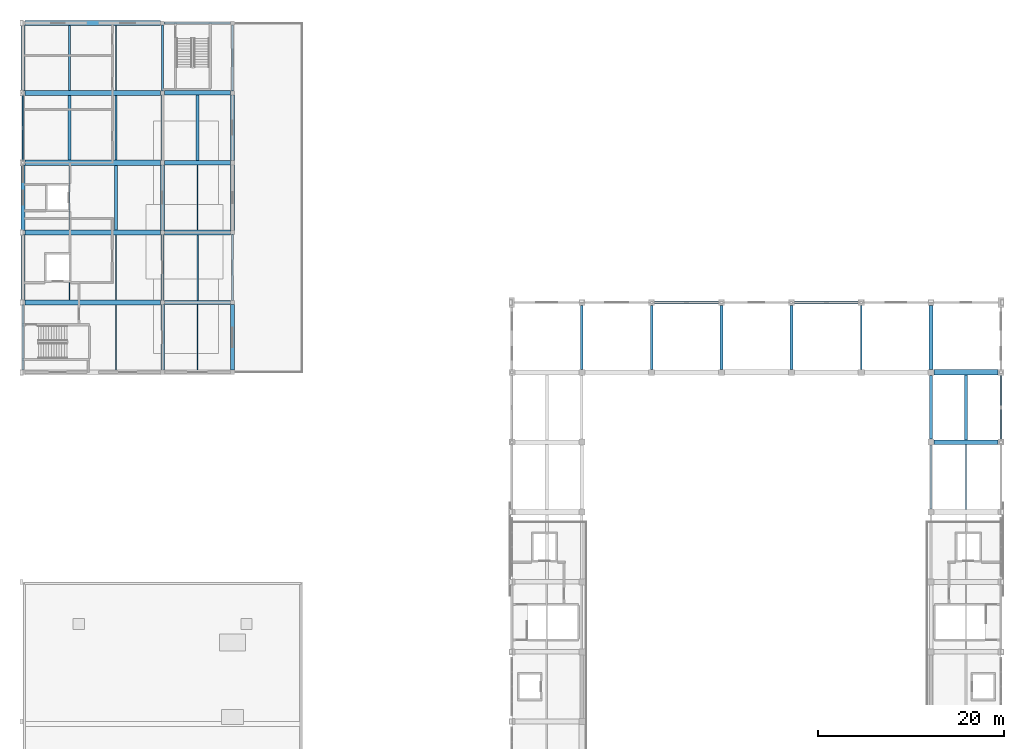
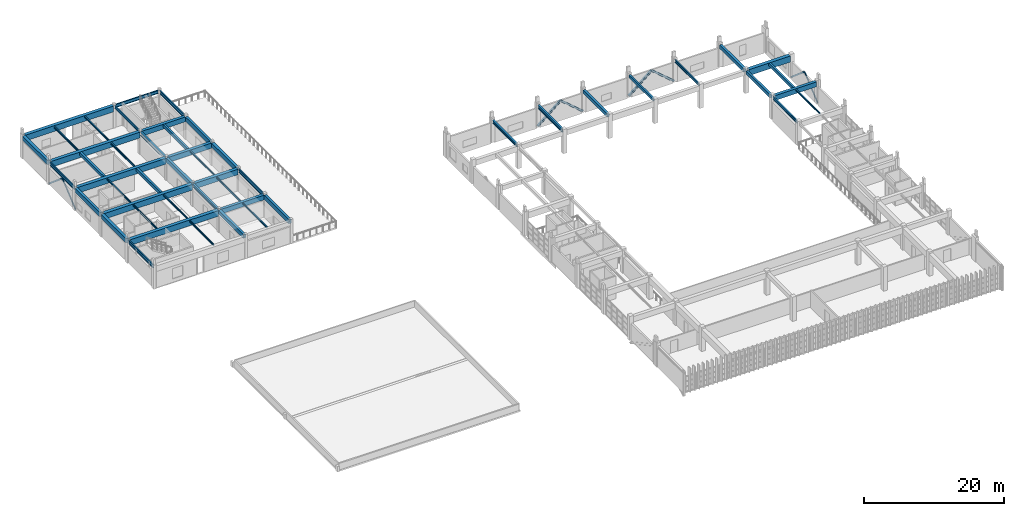
# One storey, part 23 of 51: 50 beams, 8 members.
"""IFC4 building model written with IfcOpenShell, lengths in metres."""

from ifc_helpers import new_model, si_unit, direction, frame, origin, origin_2d, place, context, subcontext, project, spatial, rectangle, hollow_rectangle, i_section, extrude, material, material_profile, profile_set, type_object, element, save


model = new_model("IFC4")

# Units and contexts
model_context = context("Model", 3, precision=1e-05, world=origin(), true_north=direction((0.0, 1.0)))
body_context = subcontext(model_context, "Body", "Model", "MODEL_VIEW")
ifc_project = project(units=[si_unit("LENGTHUNIT", "METRE"), si_unit("AREAUNIT", "SQUARE_METRE"), si_unit("VOLUMEUNIT", "CUBIC_METRE"), si_unit("PLANEANGLEUNIT", "RADIAN"), si_unit("MASSUNIT", "GRAM", prefix="KILO")], contexts=[model_context])

# Site, building, storey
site_placement = place(None, origin())
site = spatial("IfcSite", under=ifc_project, at=site_placement, CompositionType="ELEMENT")
building_placement = place(site_placement, origin())
building = spatial("IfcBuilding", under=site, at=building_placement, Name="Qasida Concert Hall", CompositionType="ELEMENT")
storey_placement = place(building_placement, frame((0.0, 0.0, 21.0)))
storey = spatial("IfcBuildingStorey", under=building, at=storey_placement, Name="L05", CompositionType="ELEMENT", Elevation=21.0)

# Beams
ifc_material_1 = material(Name="Concrete C40/50", Category="concrete")
ifc_material_profile_1 = material_profile(ifc_material_1, rectangle(XDim=0.39990234375, YDim=0.64990234375, at=origin_2d()), Name="RC 400x650")
ifc_profile_set_1 = profile_set([ifc_material_profile_1], Name="Concrete C40/50")
beam_type_1 = type_object("IfcBeamType", Name="BM-B1", PredefinedType="BEAM", material=ifc_profile_set_1)
beam_1_placement = place(storey_placement, frame((97.5, 75.324951171875, 3.594970703125), z_axis=(0.0, 1.0, 0.0), x_axis=(-1.0, 0.0, 0.0)))
element("IfcBeam", 1, at=beam_1_placement, inside=storey, type_object=beam_type_1, Name="L05 girder 2026", PredefinedType="BEAM", context=body_context, shape_type="SweptSolid", body=[
    extrude(rectangle(XDim=0.39990234375, YDim=0.64990234375, at=origin_2d()), origin(), (0.0, 0.0, 1.0), 6.85009765625),
])
beam_2_placement = place(storey_placement, frame((15.0, 75.22509765625, 3.594970703125), z_axis=(0.0, 1.0, 0.0), x_axis=(-1.0, 0.0, 0.0)))
element("IfcBeam", 2, at=beam_2_placement, inside=storey, type_object=beam_type_1, Name="L05 girder 2056", PredefinedType="BEAM", context=body_context, shape_type="SweptSolid", body=[
    extrude(rectangle(XDim=0.39990234375, YDim=0.64990234375, at=origin_2d()), origin(), (0.0, 0.0, 1.0), 7.0498046875),
])
ifc_material_profile_2 = material_profile(ifc_material_1, rectangle(XDim=0.419921875, YDim=0.699951171875, at=origin_2d()), Name="RC 420x700")
ifc_profile_set_2 = profile_set([ifc_material_profile_2], Name="Concrete C40/50")
beam_type_2 = type_object("IfcBeamType", Name="BM-B11", PredefinedType="BEAM", material=ifc_profile_set_2)
beam_3_placement = place(storey_placement, frame((15.0, 90.22509765625, 3.570068359375), z_axis=(0.0, 1.0, 0.0), x_axis=(-1.0, 0.0, 0.0)))
element("IfcBeam", 3, at=beam_3_placement, inside=storey, type_object=beam_type_2, Name="L05 girder 2058", PredefinedType="BEAM", context=body_context, shape_type="SweptSolid", body=[
    extrude(rectangle(XDim=0.419921875, YDim=0.699951171875, at=origin_2d()), origin(), (0.0, 0.0, 1.0), 7.0498046875),
])
ifc_material_2 = material(Name="Steel S355J2", Category="steel")
ifc_material_profile_3 = material_profile(ifc_material_2, i_section(OverallWidth=0.300048828125, OverallDepth=0.550048828125, WebThickness=0.014892578125, FlangeThickness=0.029052734375, FilletRadius=0.027099609375, at=origin_2d()), Name="HEB 550")
ifc_profile_set_3 = profile_set([ifc_material_profile_3], Name="Steel S355J2")
beam_type_3 = type_object("IfcBeamType", Name="BM-B12", PredefinedType="BEAM", material=ifc_profile_set_3)
beam_4_placement = place(storey_placement, frame((60.0, 75.324951171875, 3.64501953125), z_axis=(0.0, 1.0, 0.0), x_axis=(-1.0, 0.0, 0.0)))
element("IfcBeam", 4, at=beam_4_placement, inside=storey, type_object=beam_type_3, Name="L05 girder 2014", PredefinedType="BEAM", context=body_context, shape_type="SweptSolid", body=[
    extrude(i_section(OverallWidth=0.300048828125, OverallDepth=0.550048828125, WebThickness=0.014892578125, FlangeThickness=0.029052734375, FilletRadius=0.027099609375, at=origin_2d()), origin(), (0.0, 0.0, 1.0), 6.85009765625),
])
beam_5_placement = place(storey_placement, frame((15.0, 82.72509765625, 3.64501953125), z_axis=(0.0, 1.0, 0.0), x_axis=(-1.0, 0.0, 0.0)))
element("IfcBeam", 5, at=beam_5_placement, inside=storey, type_object=beam_type_3, Name="L05 girder 2057", PredefinedType="BEAM", context=body_context, shape_type="SweptSolid", body=[
    extrude(i_section(OverallWidth=0.300048828125, OverallDepth=0.550048828125, WebThickness=0.014892578125, FlangeThickness=0.029052734375, FilletRadius=0.027099609375, at=origin_2d()), origin(), (0.0, 0.0, 1.0), 7.0498046875),
])
ifc_material_profile_4 = material_profile(ifc_material_2, i_section(OverallWidth=0.300048828125, OverallDepth=0.64990234375, WebThickness=0.01611328125, FlangeThickness=0.031005859375, FilletRadius=0.027099609375, at=origin_2d()), Name="HEB 650")
ifc_profile_set_4 = profile_set([ifc_material_profile_4], Name="Steel S355J2")
beam_type_4 = type_object("IfcBeamType", Name="BM-B13", PredefinedType="BEAM", material=ifc_profile_set_4)
beam_6_placement = place(storey_placement, frame((67.5, 75.324951171875, 3.594970703125), z_axis=(0.0, 1.0, 0.0), x_axis=(-1.0, 0.0, 0.0)))
element("IfcBeam", 6, at=beam_6_placement, inside=storey, type_object=beam_type_4, Name="L05 girder 2015", PredefinedType="BEAM", context=body_context, shape_type="SweptSolid", body=[
    extrude(i_section(OverallWidth=0.300048828125, OverallDepth=0.64990234375, WebThickness=0.01611328125, FlangeThickness=0.031005859375, FilletRadius=0.027099609375, at=origin_2d()), origin(), (0.0, 0.0, 1.0), 6.85009765625),
])
ifc_material_profile_5 = material_profile(ifc_material_1, rectangle(XDim=0.35009765625, YDim=0.60009765625, at=origin_2d()), Name="RC 350x600")
ifc_profile_set_5 = profile_set([ifc_material_profile_5], Name="Concrete C40/50")
beam_type_5 = type_object("IfcBeamType", Name="BM-B2", PredefinedType="BEAM", material=ifc_profile_set_5)
for number, where, z_axis, x_axis, name in (
    (7, (75.0, 75.324951171875, 3.6201171875), (0.0, 1.0, 0.0), (-1.0, 0.0, 0.0), "L05 girder 2017"),
    (8, (97.5, 67.824951171875, 3.6201171875), (0.0, 1.0, 0.0), (-1.0, 0.0, 0.0), "L05 girder 2025"),
):
    element("IfcBeam", number, at=place(storey_placement, frame(where, z_axis=z_axis, x_axis=x_axis)), inside=storey, type_object=beam_type_5, Name=name, PredefinedType="BEAM", context=body_context, shape_type="SweptSolid", body=[
        extrude(rectangle(XDim=0.35009765625, YDim=0.60009765625, at=origin_2d()), origin(), (0.0, 0.0, 1.0), 6.85009765625),
    ])
ifc_material_profile_6 = material_profile(ifc_material_1, rectangle(XDim=0.300048828125, YDim=0.449951171875, at=origin_2d()), Name="RC 300x450")
ifc_profile_set_6 = profile_set([ifc_material_profile_6], Name="Concrete C40/50")
beam_type_6 = type_object("IfcBeamType", Name="BM-B3", PredefinedType="BEAM", material=ifc_profile_set_6)
beam_7_placement = place(storey_placement, frame((82.5, 75.324951171875, 3.695068359375), z_axis=(0.0, 1.0, 0.0), x_axis=(-1.0, 0.0, 0.0)))
element("IfcBeam", 9, at=beam_7_placement, inside=storey, type_object=beam_type_6, Name="L05 girder 2018", PredefinedType="BEAM", context=body_context, shape_type="SweptSolid", body=[
    extrude(rectangle(XDim=0.300048828125, YDim=0.449951171875, at=origin_2d()), origin(), (0.0, 0.0, 1.0), 6.85009765625),
])
ifc_material_profile_7 = material_profile(ifc_material_2, i_section(OverallWidth=0.199951171875, OverallDepth=0.5, WebThickness=0.01025390625, FlangeThickness=0.01611328125, FilletRadius=0.02099609375, at=origin_2d()), Name="IPE 500")
ifc_profile_set_7 = profile_set([ifc_material_profile_7], Name="Steel S355J2")
beam_type_7 = type_object("IfcBeamType", Name="BM-B4", PredefinedType="BEAM", material=ifc_profile_set_7)
beam_8_placement = place(storey_placement, frame((97.5, 60.324951171875, 3.669921875), z_axis=(0.0, 1.0, 0.0), x_axis=(-1.0, 0.0, 0.0)))
element("IfcBeam", 10, at=beam_8_placement, inside=storey, type_object=beam_type_7, Name="L05 girder 2024", PredefinedType="BEAM", context=body_context, shape_type="SweptSolid", body=[
    extrude(i_section(OverallWidth=0.199951171875, OverallDepth=0.5, WebThickness=0.01025390625, FlangeThickness=0.01611328125, FilletRadius=0.02099609375, at=origin_2d()), origin(), (0.0, 0.0, 1.0), 6.85009765625),
])
ifc_material_profile_8 = material_profile(ifc_material_2, i_section(OverallWidth=0.18994140625, OverallDepth=0.449951171875, WebThickness=0.009521484375, FlangeThickness=0.0146484375, FilletRadius=0.02099609375, at=origin_2d()), Name="IPE 450")
ifc_profile_set_8 = profile_set([ifc_material_profile_8], Name="Steel S355J2")
beam_type_8 = type_object("IfcBeamType", Name="BM-B5", PredefinedType="BEAM", material=ifc_profile_set_8)
beam_9_placement = place(storey_placement, frame((90.0, 75.324951171875, 3.695068359375), z_axis=(0.0, 1.0, 0.0), x_axis=(-1.0, 0.0, 0.0)))
element("IfcBeam", 11, at=beam_9_placement, inside=storey, type_object=beam_type_8, Name="L05 girder 2020", PredefinedType="BEAM", context=body_context, shape_type="SweptSolid", body=[
    extrude(i_section(OverallWidth=0.18994140625, OverallDepth=0.449951171875, WebThickness=0.009521484375, FlangeThickness=0.0146484375, FilletRadius=0.02099609375, at=origin_2d()), origin(), (0.0, 0.0, 1.0), 6.85009765625),
])
beam_10_placement = place(storey_placement, frame((15.0, 105.22509765625, 3.695068359375), z_axis=(0.0, 1.0, 0.0), x_axis=(-1.0, 0.0, 0.0)))
element("IfcBeam", 12, at=beam_10_placement, inside=storey, type_object=beam_type_8, Name="L05 girder 2060", PredefinedType="BEAM", context=body_context, shape_type="SweptSolid", body=[
    extrude(i_section(OverallWidth=0.18994140625, OverallDepth=0.449951171875, WebThickness=0.009521484375, FlangeThickness=0.0146484375, FilletRadius=0.02099609375, at=origin_2d()), origin(), (0.0, 0.0, 1.0), 7.0498046875),
])
ifc_material_profile_9 = material_profile(ifc_material_2, i_section(OverallWidth=0.300048828125, OverallDepth=0.60009765625, WebThickness=0.015380859375, FlangeThickness=0.030029296875, FilletRadius=0.027099609375, at=origin_2d()), Name="HEB 600")
ifc_profile_set_9 = profile_set([ifc_material_profile_9], Name="Steel S355J2")
beam_type_9 = type_object("IfcBeamType", Name="BM-B6", PredefinedType="BEAM", material=ifc_profile_set_9)
beam_11_placement = place(storey_placement, frame((15.0, 97.72509765625, 3.6201171875), z_axis=(0.0, 1.0, 0.0), x_axis=(-1.0, 0.0, 0.0)))
element("IfcBeam", 13, at=beam_11_placement, inside=storey, type_object=beam_type_9, Name="L05 girder 2059", PredefinedType="BEAM", context=body_context, shape_type="SweptSolid", body=[
    extrude(i_section(OverallWidth=0.300048828125, OverallDepth=0.60009765625, WebThickness=0.015380859375, FlangeThickness=0.030029296875, FilletRadius=0.027099609375, at=origin_2d()), origin(), (0.0, 0.0, 1.0), 7.0498046875),
])
ifc_material_profile_10 = material_profile(ifc_material_1, rectangle(XDim=0.5, YDim=0.89990234375, at=origin_2d()), Name="RC 500x900")
ifc_profile_set_10 = profile_set([ifc_material_profile_10], Name="Concrete C40/50")
beam_type_10 = type_object("IfcBeamType", Name="BM-G1", PredefinedType="USERDEFINED", material=ifc_profile_set_10)
beam_12_placement = place(storey_placement, frame((15.22509765625, 97.5, 3.469970703125), z_axis=(1.0, 0.0, 0.0), x_axis=(0.0, 1.0, 0.0)))
element("IfcBeam", 14, at=beam_12_placement, inside=storey, type_object=beam_type_10, Name="Primary girder 2046", ObjectType="GIRDER", PredefinedType="USERDEFINED", context=body_context, shape_type="SweptSolid", body=[
    extrude(rectangle(XDim=0.5, YDim=0.89990234375, at=origin_2d()), origin(), (0.0, 0.0, 1.0), 7.0498046875),
])
ifc_material_profile_11 = material_profile(ifc_material_1, rectangle(XDim=0.449951171875, YDim=0.800048828125, at=origin_2d()), Name="RC 450x800")
ifc_profile_set_11 = profile_set([ifc_material_profile_11], Name="Concrete C40/50")
beam_type_11 = type_object("IfcBeamType", Name="BM-G2", PredefinedType="USERDEFINED", material=ifc_profile_set_11)
beam_13_placement = place(storey_placement, frame((15.22509765625, 82.5, 3.52001953125), z_axis=(1.0, 0.0, 0.0), x_axis=(0.0, 1.0, 0.0)))
element("IfcBeam", 15, at=beam_13_placement, inside=storey, type_object=beam_type_11, Name="Primary girder 2042", ObjectType="GIRDER", PredefinedType="USERDEFINED", context=body_context, shape_type="SweptSolid", body=[
    extrude(rectangle(XDim=0.449951171875, YDim=0.800048828125, at=origin_2d()), origin(), (0.0, 0.0, 1.0), 7.0498046875),
])
ifc_material_profile_12 = material_profile(ifc_material_1, rectangle(XDim=0.550048828125, YDim=1.0, at=origin_2d()), Name="RC 550x1000")
ifc_profile_set_12 = profile_set([ifc_material_profile_12], Name="Concrete C40/50")
beam_type_12 = type_object("IfcBeamType", Name="BM-G3", PredefinedType="USERDEFINED", material=ifc_profile_set_12)
for number, where, z_axis, x_axis, name in (
    (16, (0.22509765625, 82.5, 3.419921875), (1.0, 0.0, 0.0), (0.0, 1.0, 0.0), "Primary girder 2041"),
    (17, (0.22509765625, 90.0, 3.419921875), (1.0, 0.0, 0.0), (0.0, 1.0, 0.0), "Primary girder 2043"),
    (18, (0.22509765625, 97.5, 3.419921875), (1.0, 0.0, 0.0), (0.0, 1.0, 0.0), "Primary girder 2045"),
    (19, (0.22509765625, 105.0, 3.419921875), (1.0, 0.0, 0.0), (0.0, 1.0, 0.0), "Primary girder 2047"),
    (20, (0.22509765625, 112.5, 3.419921875), (1.0, 0.0, 0.0), (0.0, 1.0, 0.0), "Primary girder 2049"),
):
    element("IfcBeam", number, at=place(storey_placement, frame(where, z_axis=z_axis, x_axis=x_axis)), inside=storey, type_object=beam_type_12, Name=name, ObjectType="GIRDER", PredefinedType="USERDEFINED", context=body_context, shape_type="SweptSolid", body=[
        extrude(rectangle(XDim=0.550048828125, YDim=1.0, at=origin_2d()), origin(), (0.0, 0.0, 1.0), 14.5498046875),
    ])
ifc_material_profile_13 = material_profile(ifc_material_1, rectangle(XDim=0.47998046875, YDim=0.85009765625, at=origin_2d()), Name="RC 480x850")
ifc_profile_set_13 = profile_set([ifc_material_profile_13], Name="Concrete C40/50")
beam_type_13 = type_object("IfcBeamType", Name="BM-G6", PredefinedType="USERDEFINED", material=ifc_profile_set_13)
beam_14_placement = place(storey_placement, frame((97.824951171875, 67.5, 3.4951171875), z_axis=(1.0, 0.0, 0.0), x_axis=(0.0, 1.0, 0.0)))
element("IfcBeam", 21, at=beam_14_placement, inside=storey, type_object=beam_type_13, Name="Primary girder 2001", ObjectType="GIRDER", PredefinedType="USERDEFINED", context=body_context, shape_type="SweptSolid", body=[
    extrude(rectangle(XDim=0.47998046875, YDim=0.85009765625, at=origin_2d()), origin(), (0.0, 0.0, 1.0), 6.85009765625),
])
beam_15_placement = place(storey_placement, frame((15.22509765625, 105.0, 3.4951171875), z_axis=(1.0, 0.0, 0.0), x_axis=(0.0, 1.0, 0.0)))
element("IfcBeam", 22, at=beam_15_placement, inside=storey, type_object=beam_type_13, Name="Primary girder 2048", ObjectType="GIRDER", PredefinedType="USERDEFINED", context=body_context, shape_type="SweptSolid", body=[
    extrude(rectangle(XDim=0.47998046875, YDim=0.85009765625, at=origin_2d()), origin(), (0.0, 0.0, 1.0), 7.0498046875),
])
ifc_material_profile_14 = material_profile(ifc_material_1, rectangle(XDim=0.52001953125, YDim=0.949951171875, at=origin_2d()), Name="RC 520x950")
ifc_profile_set_14 = profile_set([ifc_material_profile_14], Name="Concrete C40/50")
beam_type_14 = type_object("IfcBeamType", Name="BM-G7", PredefinedType="USERDEFINED", material=ifc_profile_set_14)
beam_16_placement = place(storey_placement, frame((15.22509765625, 90.0, 3.445068359375), z_axis=(1.0, 0.0, 0.0), x_axis=(0.0, 1.0, 0.0)))
element("IfcBeam", 23, at=beam_16_placement, inside=storey, type_object=beam_type_14, Name="Primary girder 2044", ObjectType="GIRDER", PredefinedType="USERDEFINED", context=body_context, shape_type="SweptSolid", body=[
    extrude(rectangle(XDim=0.52001953125, YDim=0.949951171875, at=origin_2d()), origin(), (0.0, 0.0, 1.0), 7.0498046875),
])
ifc_material_3 = material(Name="Concrete C50/60", Category="concrete")
ifc_material_profile_15 = material_profile(ifc_material_3, rectangle(XDim=0.580078125, YDim=1.050048828125, at=origin_2d()), Name="RC 580x1050")
ifc_profile_set_15 = profile_set([ifc_material_profile_15], Name="Concrete C50/60")
beam_type_15 = type_object("IfcBeamType", Name="BM-G8", PredefinedType="USERDEFINED", material=ifc_profile_set_15)
beam_17_placement = place(storey_placement, frame((97.824951171875, 75.0, 3.39501953125), z_axis=(1.0, 0.0, 0.0), x_axis=(0.0, 1.0, 0.0)))
element("IfcBeam", 24, at=beam_17_placement, inside=storey, type_object=beam_type_15, Name="Primary girder 2008", ObjectType="GIRDER", PredefinedType="USERDEFINED", context=body_context, shape_type="SweptSolid", body=[
    extrude(rectangle(XDim=0.580078125, YDim=1.050048828125, at=origin_2d()), origin(), (0.0, 0.0, 1.0), 6.85009765625),
])
ifc_material_profile_16 = material_profile(ifc_material_2, i_section(OverallWidth=0.169921875, OverallDepth=0.360107421875, WebThickness=0.008056640625, FlangeThickness=0.0126953125, FilletRadius=0.01806640625, at=origin_2d()), Name="IPE 360")
ifc_profile_set_16 = profile_set([ifc_material_profile_16], Name="Steel S355J2")
beam_type_16 = type_object("IfcBeamType", Name="BM-J2", PredefinedType="JOIST", material=ifc_profile_set_16)
for number, where, z_axis, x_axis, name in (
    (25, (10.0, 97.77490234375, 3.739990234375), (0.0, 1.0, 0.0), (-1.0, 0.0, 0.0), "L05 secondary joist 2072"),
    (26, (5.0, 105.27490234375, 3.739990234375), (0.0, 1.0, 0.0), (-1.0, 0.0, 0.0), "L05 secondary joist 2073"),
):
    element("IfcBeam", number, at=place(storey_placement, frame(where, z_axis=z_axis, x_axis=x_axis)), inside=storey, type_object=beam_type_16, Name=name, PredefinedType="JOIST", context=body_context, shape_type="SweptSolid", body=[
        extrude(i_section(OverallWidth=0.169921875, OverallDepth=0.360107421875, WebThickness=0.008056640625, FlangeThickness=0.0126953125, FilletRadius=0.01806640625, at=origin_2d()), origin(), (0.0, 0.0, 1.0), 6.9501953125),
    ])
ifc_material_profile_17 = material_profile(ifc_material_2, i_section(OverallWidth=0.14990234375, OverallDepth=0.300048828125, WebThickness=0.007080078125, FlangeThickness=0.0107421875, FilletRadius=0.014892578125, at=origin_2d()), Name="IPE 300")
ifc_profile_set_17 = profile_set([ifc_material_profile_17], Name="Steel S355J2")
beam_type_17 = type_object("IfcBeamType", Name="BM-J4", PredefinedType="JOIST", material=ifc_profile_set_17)
for number, where, z_axis, x_axis, name in (
    (27, (10.0, 75.27490234375, 3.77001953125), (0.0, 1.0, 0.0), (-1.0, 0.0, 0.0), "L05 secondary joist 2066"),
    (28, (5.0, 82.77490234375, 3.77001953125), (0.0, 1.0, 0.0), (-1.0, 0.0, 0.0), "L05 secondary joist 2067"),
    (29, (10.0, 105.27490234375, 3.77001953125), (0.0, 1.0, 0.0), (-1.0, 0.0, 0.0), "L05 secondary joist 2074"),
):
    element("IfcBeam", number, at=place(storey_placement, frame(where, z_axis=z_axis, x_axis=x_axis)), inside=storey, type_object=beam_type_17, Name=name, PredefinedType="JOIST", context=body_context, shape_type="SweptSolid", body=[
        extrude(i_section(OverallWidth=0.14990234375, OverallDepth=0.300048828125, WebThickness=0.007080078125, FlangeThickness=0.0107421875, FilletRadius=0.014892578125, at=origin_2d()), origin(), (0.0, 0.0, 1.0), 6.9501953125),
    ])
beam_18_placement = place(storey_placement, frame((18.75, 75.22509765625, 3.77001953125), z_axis=(0.0, 1.0, 0.0), x_axis=(-1.0, 0.0, 0.0)))
element("IfcBeam", 30, at=beam_18_placement, inside=storey, type_object=beam_type_17, Name="L05 secondary joist 2075", PredefinedType="JOIST", context=body_context, shape_type="SweptSolid", body=[
    extrude(i_section(OverallWidth=0.14990234375, OverallDepth=0.300048828125, WebThickness=0.007080078125, FlangeThickness=0.0107421875, FilletRadius=0.014892578125, at=origin_2d()), origin(), (0.0, 0.0, 1.0), 7.0498046875),
])
ifc_material_profile_18 = material_profile(ifc_material_2, i_section(OverallWidth=0.159912109375, OverallDepth=0.330078125, WebThickness=0.007568359375, FlangeThickness=0.011474609375, FilletRadius=0.01806640625, at=origin_2d()), Name="IPE 330")
ifc_profile_set_18 = profile_set([ifc_material_profile_18], Name="Steel S355J2")
beam_type_18 = type_object("IfcBeamType", Name="BM-J5", PredefinedType="JOIST", material=ifc_profile_set_18)
beam_19_placement = place(storey_placement, frame((18.75, 82.72509765625, 3.7548828125), z_axis=(0.0, 1.0, 0.0), x_axis=(-1.0, 0.0, 0.0)))
element("IfcBeam", 31, at=beam_19_placement, inside=storey, type_object=beam_type_18, Name="L05 secondary joist 2076", PredefinedType="JOIST", context=body_context, shape_type="SweptSolid", body=[
    extrude(i_section(OverallWidth=0.159912109375, OverallDepth=0.330078125, WebThickness=0.007568359375, FlangeThickness=0.011474609375, FilletRadius=0.01806640625, at=origin_2d()), origin(), (0.0, 0.0, 1.0), 7.014892578125),
])
ifc_material_profile_19 = material_profile(ifc_material_2, i_section(OverallWidth=0.135009765625, OverallDepth=0.27001953125, WebThickness=0.006591796875, FlangeThickness=0.01025390625, FilletRadius=0.014892578125, at=origin_2d()), Name="IPE 270")
ifc_profile_set_19 = profile_set([ifc_material_profile_19], Name="Steel S355J2")
beam_type_19 = type_object("IfcBeamType", Name="BM-J6", PredefinedType="JOIST", material=ifc_profile_set_19)
beam_20_placement = place(storey_placement, frame((101.25, 60.25, 3.784912109375), z_axis=(0.0, 1.0, 0.0), x_axis=(-1.0, 0.0, 0.0)))
element("IfcBeam", 32, at=beam_20_placement, inside=storey, type_object=beam_type_19, Name="L05 secondary joist 2037", PredefinedType="JOIST", context=body_context, shape_type="SweptSolid", body=[
    extrude(i_section(OverallWidth=0.135009765625, OverallDepth=0.27001953125, WebThickness=0.006591796875, FlangeThickness=0.01025390625, FilletRadius=0.014892578125, at=origin_2d()), origin(), (0.0, 0.0, 1.0), 7.010009765625),
])
for number, where, z_axis, x_axis, name in (
    (33, (10.0, 82.77490234375, 3.784912109375), (0.0, 1.0, 0.0), (-1.0, 0.0, 0.0), "L05 secondary joist 2068"),
    (34, (5.0, 90.27490234375, 3.784912109375), (0.0, 1.0, 0.0), (-1.0, 0.0, 0.0), "L05 secondary joist 2069"),
):
    element("IfcBeam", number, at=place(storey_placement, frame(where, z_axis=z_axis, x_axis=x_axis)), inside=storey, type_object=beam_type_19, Name=name, PredefinedType="JOIST", context=body_context, shape_type="SweptSolid", body=[
        extrude(i_section(OverallWidth=0.135009765625, OverallDepth=0.27001953125, WebThickness=0.006591796875, FlangeThickness=0.01025390625, FilletRadius=0.014892578125, at=origin_2d()), origin(), (0.0, 0.0, 1.0), 6.9501953125),
    ])
beam_21_placement = place(storey_placement, frame((18.75, 90.260009765625, 3.784912109375), z_axis=(0.0, 1.0, 0.0), x_axis=(-1.0, 0.0, 0.0)))
element("IfcBeam", 35, at=beam_21_placement, inside=storey, type_object=beam_type_19, Name="L05 secondary joist 2077", PredefinedType="JOIST", context=body_context, shape_type="SweptSolid", body=[
    extrude(i_section(OverallWidth=0.135009765625, OverallDepth=0.27001953125, WebThickness=0.006591796875, FlangeThickness=0.01025390625, FilletRadius=0.014892578125, at=origin_2d()), origin(), (0.0, 0.0, 1.0), 6.989990234375),
])
ifc_material_profile_20 = material_profile(ifc_material_1, rectangle(XDim=0.320068359375, YDim=0.5, at=origin_2d()), Name="RC 320x500")
ifc_profile_set_20 = profile_set([ifc_material_profile_20], Name="Concrete C40/50")
beam_type_20 = type_object("IfcBeamType", Name="BM-J7", PredefinedType="JOIST", material=ifc_profile_set_20)
beam_22_placement = place(storey_placement, frame((101.25, 67.739990234375, 3.669921875), z_axis=(0.0, 1.0, 0.0), x_axis=(-1.0, 0.0, 0.0)))
element("IfcBeam", 36, at=beam_22_placement, inside=storey, type_object=beam_type_20, Name="L05 secondary joist 2038", PredefinedType="JOIST", context=body_context, shape_type="SweptSolid", body=[
    extrude(rectangle(XDim=0.320068359375, YDim=0.5, at=origin_2d()), origin(), (0.0, 0.0, 1.0), 6.969970703125),
])
beam_23_placement = place(storey_placement, frame((18.75, 97.75, 3.669921875), z_axis=(0.0, 1.0, 0.0), x_axis=(-1.0, 0.0, 0.0)))
element("IfcBeam", 37, at=beam_23_placement, inside=storey, type_object=beam_type_20, Name="L05 secondary joist 2078", PredefinedType="JOIST", context=body_context, shape_type="SweptSolid", body=[
    extrude(rectangle(XDim=0.320068359375, YDim=0.5, at=origin_2d()), origin(), (0.0, 0.0, 1.0), 7.010009765625),
])
ifc_material_profile_21 = material_profile(ifc_material_1, rectangle(XDim=0.35009765625, YDim=0.550048828125, at=origin_2d()), Name="RC 350x550")
ifc_profile_set_21 = profile_set([ifc_material_profile_21], Name="Concrete C40/50")
beam_type_21 = type_object("IfcBeamType", Name="BM-J8", PredefinedType="JOIST", material=ifc_profile_set_21)
for number, where, z_axis, x_axis, name in (
    (38, (10.0, 90.27490234375, 3.64501953125), (0.0, 1.0, 0.0), (-1.0, 0.0, 0.0), "L05 secondary joist 2070"),
    (39, (5.0, 97.77490234375, 3.64501953125), (0.0, 1.0, 0.0), (-1.0, 0.0, 0.0), "L05 secondary joist 2071"),
):
    element("IfcBeam", number, at=place(storey_placement, frame(where, z_axis=z_axis, x_axis=x_axis)), inside=storey, type_object=beam_type_21, Name=name, PredefinedType="JOIST", context=body_context, shape_type="SweptSolid", body=[
        extrude(rectangle(XDim=0.35009765625, YDim=0.550048828125, at=origin_2d()), origin(), (0.0, 0.0, 1.0), 6.9501953125),
    ])
ifc_material_profile_22 = material_profile(ifc_material_1, rectangle(XDim=0.39990234375, YDim=0.75, at=origin_2d()), Name="RC 400x750")
ifc_profile_set_22 = profile_set([ifc_material_profile_22], Name="Concrete C40/50")
beam_type_22 = type_object("IfcBeamType", Name="BM-SP1", PredefinedType="SPANDREL", material=ifc_profile_set_22)
for number, where, z_axis, x_axis, name in (
    (40, (0.0, 90.22509765625, 3.544921875), (0.0, 1.0, 0.0), (-1.0, 0.0, 0.0), "L05 girder 2053"),
    (41, (22.5, 75.22509765625, 3.544921875), (0.0, 1.0, 0.0), (-1.0, 0.0, 0.0), "L05 girder 2061"),
    (42, (22.5, 97.72509765625, 3.544921875), (0.0, 1.0, 0.0), (-1.0, 0.0, 0.0), "L05 girder 2064"),
):
    element("IfcBeam", number, at=place(storey_placement, frame(where, z_axis=z_axis, x_axis=x_axis)), inside=storey, type_object=beam_type_22, Name=name, PredefinedType="SPANDREL", context=body_context, shape_type="SweptSolid", body=[
        extrude(rectangle(XDim=0.39990234375, YDim=0.75, at=origin_2d()), origin(), (0.0, 0.0, 1.0), 7.0498046875),
    ])
ifc_material_profile_23 = material_profile(ifc_material_2, i_section(OverallWidth=0.2099609375, OverallDepth=0.550048828125, WebThickness=0.010986328125, FlangeThickness=0.01708984375, FilletRadius=0.02392578125, at=origin_2d()), Name="IPE 550")
ifc_profile_set_23 = profile_set([ifc_material_profile_23], Name="Steel S355J2")
beam_type_23 = type_object("IfcBeamType", Name="BM-SP2", PredefinedType="SPANDREL", material=ifc_profile_set_23)
beam_24_placement = place(storey_placement, frame((15.22509765625, 112.5, 3.64501953125), z_axis=(1.0, 0.0, 0.0), x_axis=(0.0, 1.0, 0.0)))
element("IfcBeam", 43, at=beam_24_placement, inside=storey, type_object=beam_type_23, Name="Primary girder 2050", PredefinedType="SPANDREL", context=body_context, shape_type="SweptSolid", body=[
    extrude(i_section(OverallWidth=0.2099609375, OverallDepth=0.550048828125, WebThickness=0.010986328125, FlangeThickness=0.01708984375, FilletRadius=0.02392578125, at=origin_2d()), origin(), (0.0, 0.0, 1.0), 7.0498046875),
])
ifc_material_profile_24 = material_profile(ifc_material_2, i_section(OverallWidth=0.219970703125, OverallDepth=0.60009765625, WebThickness=0.011962890625, FlangeThickness=0.01904296875, FilletRadius=0.02392578125, at=origin_2d()), Name="IPE 600")
ifc_profile_set_24 = profile_set([ifc_material_profile_24], Name="Steel S355J2")
beam_type_24 = type_object("IfcBeamType", Name="BM-SP3", PredefinedType="SPANDREL", material=ifc_profile_set_24)
for number, where, z_axis, x_axis, name in (
    (44, (0.0, 75.22509765625, 3.6201171875), (0.0, 1.0, 0.0), (-1.0, 0.0, 0.0), "L05 girder 2051"),
    (45, (0.0, 97.72509765625, 3.6201171875), (0.0, 1.0, 0.0), (-1.0, 0.0, 0.0), "L05 girder 2054"),
    (46, (22.5, 82.72509765625, 3.6201171875), (0.0, 1.0, 0.0), (-1.0, 0.0, 0.0), "L05 girder 2062"),
    (47, (22.5, 105.22509765625, 3.6201171875), (0.0, 1.0, 0.0), (-1.0, 0.0, 0.0), "L05 girder 2065"),
):
    element("IfcBeam", number, at=place(storey_placement, frame(where, z_axis=z_axis, x_axis=x_axis)), inside=storey, type_object=beam_type_24, Name=name, PredefinedType="SPANDREL", context=body_context, shape_type="SweptSolid", body=[
        extrude(i_section(OverallWidth=0.219970703125, OverallDepth=0.60009765625, WebThickness=0.011962890625, FlangeThickness=0.01904296875, FilletRadius=0.02392578125, at=origin_2d()), origin(), (0.0, 0.0, 1.0), 7.0498046875),
    ])
ifc_material_profile_25 = material_profile(ifc_material_1, rectangle(XDim=0.449951171875, YDim=0.75, at=origin_2d()), Name="RC 450x750")
ifc_profile_set_25 = profile_set([ifc_material_profile_25], Name="Concrete C40/50")
beam_type_25 = type_object("IfcBeamType", Name="BM-SP4", PredefinedType="SPANDREL", material=ifc_profile_set_25)
for number, where, z_axis, x_axis, name in (
    (48, (0.0, 82.72509765625, 3.544921875), (0.0, 1.0, 0.0), (-1.0, 0.0, 0.0), "L05 girder 2052"),
    (49, (0.0, 105.22509765625, 3.544921875), (0.0, 1.0, 0.0), (-1.0, 0.0, 0.0), "L05 girder 2055"),
    (50, (22.5, 90.22509765625, 3.544921875), (0.0, 1.0, 0.0), (-1.0, 0.0, 0.0), "L05 girder 2063"),
):
    element("IfcBeam", number, at=place(storey_placement, frame(where, z_axis=z_axis, x_axis=x_axis)), inside=storey, type_object=beam_type_25, Name=name, PredefinedType="SPANDREL", context=body_context, shape_type="SweptSolid", body=[
        extrude(rectangle(XDim=0.449951171875, YDim=0.75, at=origin_2d()), origin(), (0.0, 0.0, 1.0), 7.0498046875),
    ])

# Members
ifc_material_profile_26 = material_profile(ifc_material_2, i_section(OverallWidth=0.300048828125, OverallDepth=0.31005859375, WebThickness=0.009033203125, FlangeThickness=0.015380859375, FilletRadius=0.027099609375, at=origin_2d()), Name="HEA 320")
ifc_profile_set_26 = profile_set([ifc_material_profile_26], Name="Steel S355J2")
member_type_1 = type_object("IfcMemberType", Name="MB-BR10", PredefinedType="BRACE", material=ifc_profile_set_26)
for number, where, z_axis, x_axis, name in (
    (51, (82.5, 82.5, 0.0), (0.763703031539, 0.0, 0.645567718848), (0.0, 1.0, 0.0), "L05 chevron brace CBF-0047"),
    (52, (90.0, 82.5, 0.0), (-0.763703031539, 0.0, 0.645567718848), (0.0, -1.0, 0.0), "L05 chevron brace CBF-0048"),
):
    element("IfcMember", number, at=place(storey_placement, frame(where, z_axis=z_axis, x_axis=x_axis)), inside=storey, type_object=member_type_1, Name=name, PredefinedType="BRACE", context=body_context, shape_type="SweptSolid", body=[
        extrude(i_section(OverallWidth=0.300048828125, OverallDepth=0.31005859375, WebThickness=0.009033203125, FlangeThickness=0.015380859375, FilletRadius=0.027099609375, at=origin_2d()), origin(), (0.0, 0.0, 1.0), 4.910400390625),
    ])
ifc_material_profile_27 = material_profile(ifc_material_2, hollow_rectangle(XDim=0.14990234375, YDim=0.25, WallThickness=0.010009765625, InnerFilletRadius=0.010009765625, OuterFilletRadius=0.02001953125, at=origin_2d()), Name="RHS 250x150x10")
ifc_profile_set_27 = profile_set([ifc_material_profile_27], Name="Steel S355J2")
member_type_2 = type_object("IfcMemberType", Name="MB-BR8", PredefinedType="BRACE", material=ifc_profile_set_27)
for number, where, z_axis, x_axis, name in (
    (53, (105.0, 67.5, 0.0), (0.0, 0.763703031539, 0.645567718848), (-1.0, 0.0, 0.0), "L05 chevron brace CBF-0023"),
    (54, (105.0, 75.0, 0.0), (0.0, -0.763703031539, 0.645567718848), (1.0, 0.0, 0.0), "L05 chevron brace CBF-0024"),
    (55, (0.0, 97.5, 0.0), (0.0, 0.763703031539, 0.645567718848), (-1.0, 0.0, 0.0), "L05 chevron brace CBF-0067"),
    (56, (0.0, 105.0, 0.0), (0.0, -0.763703031539, 0.645567718848), (1.0, 0.0, 0.0), "L05 chevron brace CBF-0068"),
):
    element("IfcMember", number, at=place(storey_placement, frame(where, z_axis=z_axis, x_axis=x_axis)), inside=storey, type_object=member_type_2, Name=name, PredefinedType="BRACE", context=body_context, shape_type="SweptSolid", body=[
        extrude(hollow_rectangle(XDim=0.14990234375, YDim=0.25, WallThickness=0.010009765625, InnerFilletRadius=0.010009765625, OuterFilletRadius=0.02001953125, at=origin_2d()), origin(), (0.0, 0.0, 1.0), 4.910400390625),
    ])
ifc_material_profile_28 = material_profile(ifc_material_2, i_section(OverallWidth=0.300048828125, OverallDepth=0.2900390625, WebThickness=0.008544921875, FlangeThickness=0.013916015625, FilletRadius=0.027099609375, at=origin_2d()), Name="HEA 300")
ifc_profile_set_28 = profile_set([ifc_material_profile_28], Name="Steel S355J2")
member_type_3 = type_object("IfcMemberType", Name="MB-BR9", PredefinedType="BRACE", material=ifc_profile_set_28)
for number, where, z_axis, x_axis, name in (
    (57, (67.5, 82.5, 0.0), (0.763703031539, 0.0, 0.645567718848), (0.0, 1.0, 0.0), "L05 chevron brace CBF-0035"),
    (58, (75.0, 82.5, 0.0), (-0.763703031539, 0.0, 0.645567718848), (0.0, -1.0, 0.0), "L05 chevron brace CBF-0036"),
):
    element("IfcMember", number, at=place(storey_placement, frame(where, z_axis=z_axis, x_axis=x_axis)), inside=storey, type_object=member_type_3, Name=name, PredefinedType="BRACE", context=body_context, shape_type="SweptSolid", body=[
        extrude(i_section(OverallWidth=0.300048828125, OverallDepth=0.2900390625, WebThickness=0.008544921875, FlangeThickness=0.013916015625, FilletRadius=0.027099609375, at=origin_2d()), origin(), (0.0, 0.0, 1.0), 4.910400390625),
    ])

save(model, "model.ifc")
